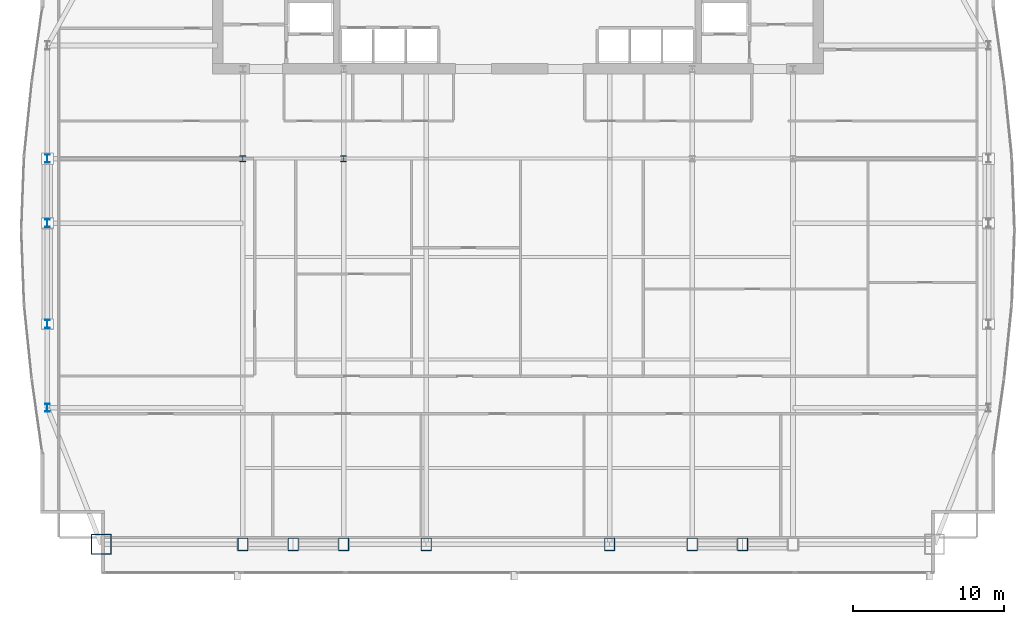
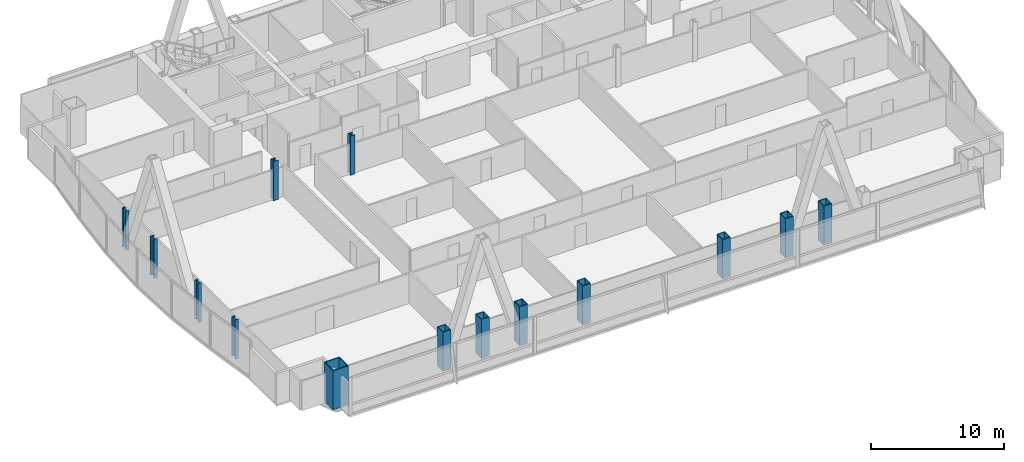
# One storey, part 1 of 30: 14 columns.
"""IFC4 building model written with IfcOpenShell, lengths in metres."""

from ifc_helpers import new_model, si_unit, direction, frame, origin, origin_2d, place, context, subcontext, project, spatial, hollow_rectangle, i_section, extrude, material, material_profile, profile_set, type_object, element, save


model = new_model("IFC4")

# Units and contexts
model_context = context("Model", 3, precision=1e-05, world=origin(), true_north=direction((0.0, 1.0)))
body_context = subcontext(model_context, "Body", "Model", "MODEL_VIEW")
ifc_project = project(units=[si_unit("LENGTHUNIT", "METRE"), si_unit("AREAUNIT", "SQUARE_METRE"), si_unit("VOLUMEUNIT", "CUBIC_METRE"), si_unit("PLANEANGLEUNIT", "RADIAN"), si_unit("MASSUNIT", "GRAM", prefix="KILO")], contexts=[model_context])

# Site, building, storey
site_placement = place(None, origin())
site = spatial("IfcSite", under=ifc_project, at=site_placement, CompositionType="ELEMENT")
building_placement = place(site_placement, origin())
building = spatial("IfcBuilding", under=site, at=building_placement, Name="Khoronbel Lancet Exchange", CompositionType="ELEMENT")
storey_placement = place(building_placement, frame((0.0, 0.0, 147.0)))
storey = spatial("IfcBuildingStorey", under=building, at=storey_placement, Name="L36", CompositionType="ELEMENT", Elevation=147.0)

# Columns
ifc_material_1 = material(Name="Steel S460", Category="steel")
ifc_material_profile_1 = material_profile(ifc_material_1, hollow_rectangle(XDim=0.699951171875, YDim=0.85009765625, WallThickness=0.050048828125, at=origin_2d()), Name="BOX 850x700x50")
ifc_profile_set_1 = profile_set([ifc_material_profile_1], Name="Steel S460")
column_type_1 = type_object("IfcColumnType", Name="COL-EC2", PredefinedType="COLUMN", material=ifc_profile_set_1)
for number, where, z_axis, x_axis, name in (
    (1, (18.22509765625, 10.14990234375, 0.0), (0.0, 0.0, 1.0), (1.0, 0.0, 0.0), "Structural column SC-W1 L36"),
    (2, (21.5625, 10.14990234375, 0.0), (0.0, 0.0, 1.0), (1.0, 0.0, 0.0), "Structural column SC-WM L36"),
    (3, (24.89990234375, 10.14990234375, 0.0), (0.0, 0.0, 1.0), (1.0, 0.0, 0.0), "Structural column SC-W2 L36"),
    (4, (30.375, 10.14990234375, 0.0), (0.0, 0.0, 1.0), (1.0, 0.0, 0.0), "Structural column SC-C1 L36"),
    (5, (42.52490234375, 10.14990234375, 0.0), (0.0, 0.0, 1.0), (1.0, 0.0, 0.0), "Structural column SC-C2 L36"),
    (6, (48.0, 10.14990234375, 0.0), (0.0, 0.0, 1.0), (1.0, 0.0, 0.0), "Structural column SC-E1 L36"),
    (7, (51.33740234375, 10.14990234375, 0.0), (0.0, 0.0, 1.0), (1.0, 0.0, 0.0), "Structural column SC-EM L36"),
):
    element("IfcColumn", number, at=place(storey_placement, frame(where, z_axis=z_axis, x_axis=x_axis)), inside=storey, type_object=column_type_1, Name=name, PredefinedType="COLUMN", context=body_context, shape_type="SweptSolid", body=[
        extrude(hollow_rectangle(XDim=0.699951171875, YDim=0.85009765625, WallThickness=0.050048828125, at=origin_2d()), origin(), (0.0, 0.0, 1.0), 3.60009765625),
    ])
ifc_material_profile_2 = material_profile(ifc_material_1, i_section(OverallWidth=0.416015625, OverallDepth=0.446044921875, WebThickness=0.0390625, FlangeThickness=0.062744140625, at=origin_2d()), Name="HD 400x509")
ifc_profile_set_2 = profile_set([ifc_material_profile_2], Name="Steel S460")
column_type_2 = type_object("IfcColumnType", Name="COL-IC2", PredefinedType="COLUMN", material=ifc_profile_set_2)
for number, where, z_axis, x_axis, name in (
    (8, (18.22509765625, 35.699951171875, 0.0), (0.0, 0.0, 1.0), (1.0, 0.0, 0.0), "Spine gravity column TC1 L36"),
    (9, (24.89990234375, 35.699951171875, 0.0), (0.0, 0.0, 1.0), (1.0, 0.0, 0.0), "Spine gravity column TC2 L36"),
):
    element("IfcColumn", number, at=place(storey_placement, frame(where, z_axis=z_axis, x_axis=x_axis)), inside=storey, type_object=column_type_2, Name=name, PredefinedType="COLUMN", context=body_context, shape_type="SweptSolid", body=[
        extrude(i_section(OverallWidth=0.416015625, OverallDepth=0.446044921875, WebThickness=0.0390625, FlangeThickness=0.062744140625, at=origin_2d()), origin(), (0.0, 0.0, 1.0), 3.60009765625),
    ])
ifc_material_2 = material(Name="Steel S355", Category="steel")
ifc_material_profile_3 = material_profile(ifc_material_2, i_section(OverallWidth=0.300048828125, OverallDepth=0.550048828125, WebThickness=0.014892578125, FlangeThickness=0.029052734375, at=origin_2d()), Name="HEB 550")
ifc_profile_set_3 = profile_set([ifc_material_profile_3], Name="Steel S355")
column_type_3 = type_object("IfcColumnType", Name="COL-LC1", PredefinedType="COLUMN", material=ifc_profile_set_3)
for number, where, z_axis, x_axis, name in (
    (10, (5.27001953125, 19.199951171875, 0.0), (0.0, 0.0, 1.0), (1.0, 0.0, 0.0), "Structural column WC-1 L36"),
    (11, (5.27001953125, 24.75, 0.0), (0.0, 0.0, 1.0), (1.0, 0.0, 0.0), "Structural column WC-2 L36"),
    (12, (5.27001953125, 31.425048828125, 0.0), (0.0, 0.0, 1.0), (1.0, 0.0, 0.0), "Structural column WC-M L36"),
    (13, (5.27001953125, 35.699951171875, 0.0), (0.0, 0.0, 1.0), (1.0, 0.0, 0.0), "Structural column WC-3 L36"),
):
    element("IfcColumn", number, at=place(storey_placement, frame(where, z_axis=z_axis, x_axis=x_axis)), inside=storey, type_object=column_type_3, Name=name, PredefinedType="COLUMN", context=body_context, shape_type="SweptSolid", body=[
        extrude(i_section(OverallWidth=0.300048828125, OverallDepth=0.550048828125, WebThickness=0.014892578125, FlangeThickness=0.029052734375, at=origin_2d()), origin(), (0.0, 0.0, 1.0), 3.60009765625),
    ])
ifc_material_profile_4 = material_profile(ifc_material_1, hollow_rectangle(XDim=1.35009765625, YDim=1.35009765625, WallThickness=0.06494140625, at=origin_2d()), Name="BOX 1350x1350x65")
ifc_profile_set_4 = profile_set([ifc_material_profile_4], Name="Steel S460")
column_type_4 = type_object("IfcColumnType", Name="COL-MC4", PredefinedType="COLUMN", material=ifc_profile_set_4)
column_placement = place(storey_placement, frame((8.85009765625, 10.14990234375, 0.0), z_axis=(0.0, 0.0, 1.0), x_axis=(1.0, 0.0, 0.0)))
element("IfcColumn", 14, at=column_placement, inside=storey, type_object=column_type_4, Name="Structural column MC-SW L36", PredefinedType="COLUMN", context=body_context, shape_type="SweptSolid", body=[
    extrude(hollow_rectangle(XDim=1.35009765625, YDim=1.35009765625, WallThickness=0.06494140625, at=origin_2d()), origin(), (0.0, 0.0, 1.0), 3.60009765625),
])

save(model, "model.ifc")
